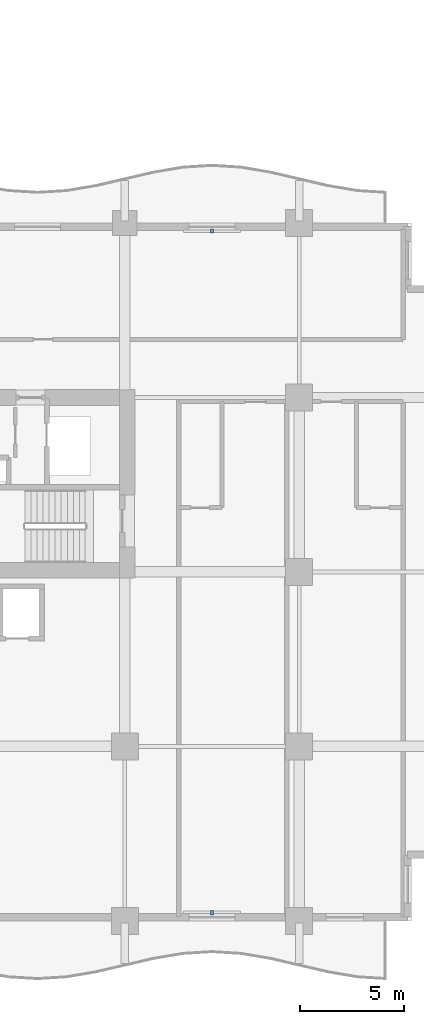
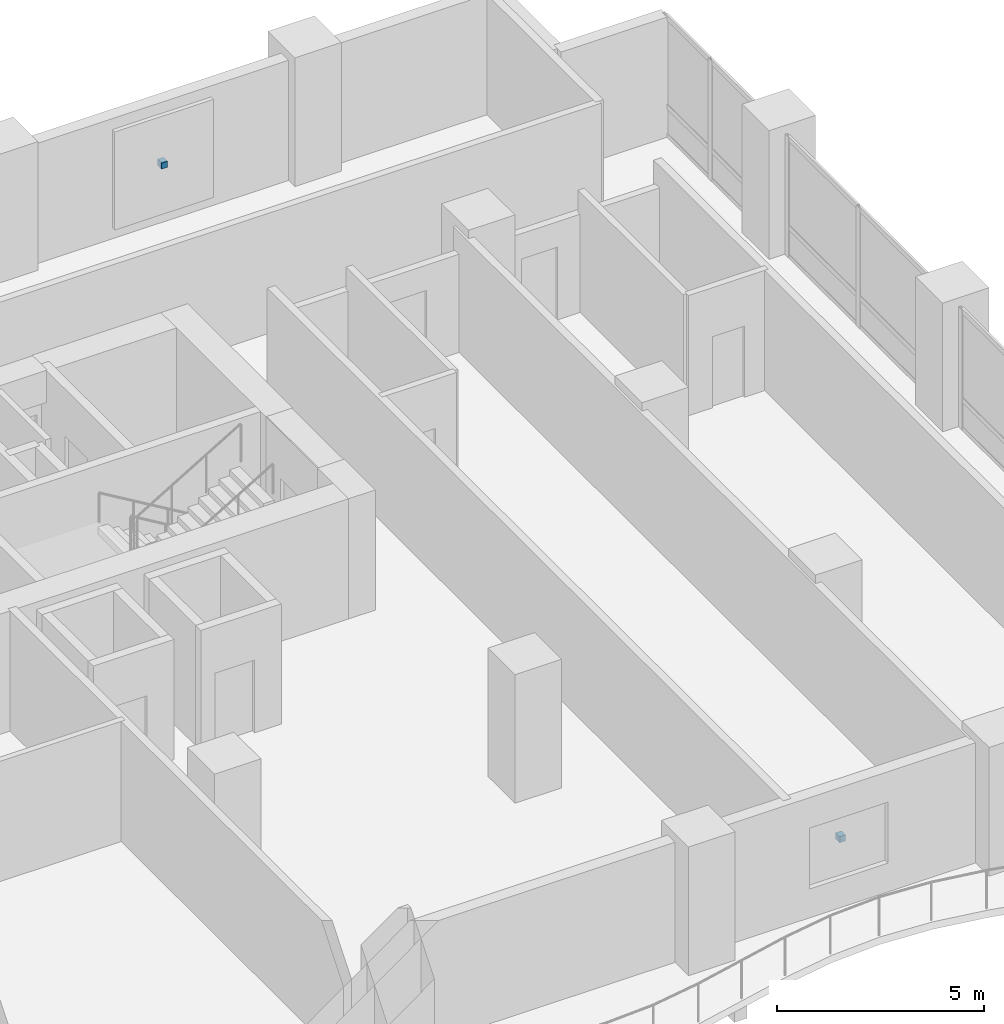
# One storey, part 19 of 24: 2 discrete accessories.
"""IFC4 building model written with IfcOpenShell, lengths in metres."""

from ifc_helpers import new_model, si_unit, direction, frame, origin, origin_2d, place, context, subcontext, project, spatial, rectangle, extrude, material, type_object, element, save


model = new_model("IFC4")

# Units and contexts
model_context = context("Model", 3, precision=1e-05, world=origin(), true_north=direction((0.0, 1.0)))
body_context = subcontext(model_context, "Body", "Model", "MODEL_VIEW")
ifc_project = project(units=[si_unit("LENGTHUNIT", "METRE"), si_unit("AREAUNIT", "SQUARE_METRE"), si_unit("VOLUMEUNIT", "CUBIC_METRE"), si_unit("PLANEANGLEUNIT", "RADIAN"), si_unit("MASSUNIT", "GRAM", prefix="KILO")], contexts=[model_context])

# Site, building, storey
site_placement = place(None, origin())
site = spatial("IfcSite", under=ifc_project, at=site_placement, CompositionType="ELEMENT")
building_placement = place(site_placement, origin())
building = spatial("IfcBuilding", under=site, at=building_placement, Name="Koriwani Terraces Tower", CompositionType="ELEMENT")
storey_placement = place(building_placement, frame((0.0, 0.0, 149.39990234375)))
storey = spatial("IfcBuildingStorey", under=building, at=storey_placement, Name="L36", CompositionType="ELEMENT", Elevation=149.39990234375)

# Discrete accessories
ifc_material = material(Name="Steel ASTM A572 Grade 50", Category="steel")
discrete_accessory_type = type_object("IfcDiscreteAccessoryType", Name="BAGUETTE_STANDOFF_BRACKET", PredefinedType="BRACKET", material=ifc_material)
for number, where, z_axis, x_axis, name in (
    (1, (63.0, 33.2099609375, 1.68505859375), (0.0, 0.0, 1.0), (1.0, 0.0, 0.0), "L36 Terracotta Baguette Bracket (NE-11)"),
    (2, (63.0, 0.389892578125, 1.68505859375), (0.0, 0.0, 1.0), (-1.0, 0.0, 0.0), "L36 Terracotta Baguette Bracket (S-21)"),
):
    element("IfcDiscreteAccessory", number, at=place(storey_placement, frame(where, z_axis=z_axis, x_axis=x_axis)), inside=storey, type_object=discrete_accessory_type, Name=name, PredefinedType="BRACKET", context=body_context, shape_type="SweptSolid", body=[
        extrude(rectangle(XDim=0.159912109375, YDim=0.199951171875, at=origin_2d()), origin(), (0.0, 0.0, 1.0), 0.179931640625),
    ])

save(model, "model.ifc")
